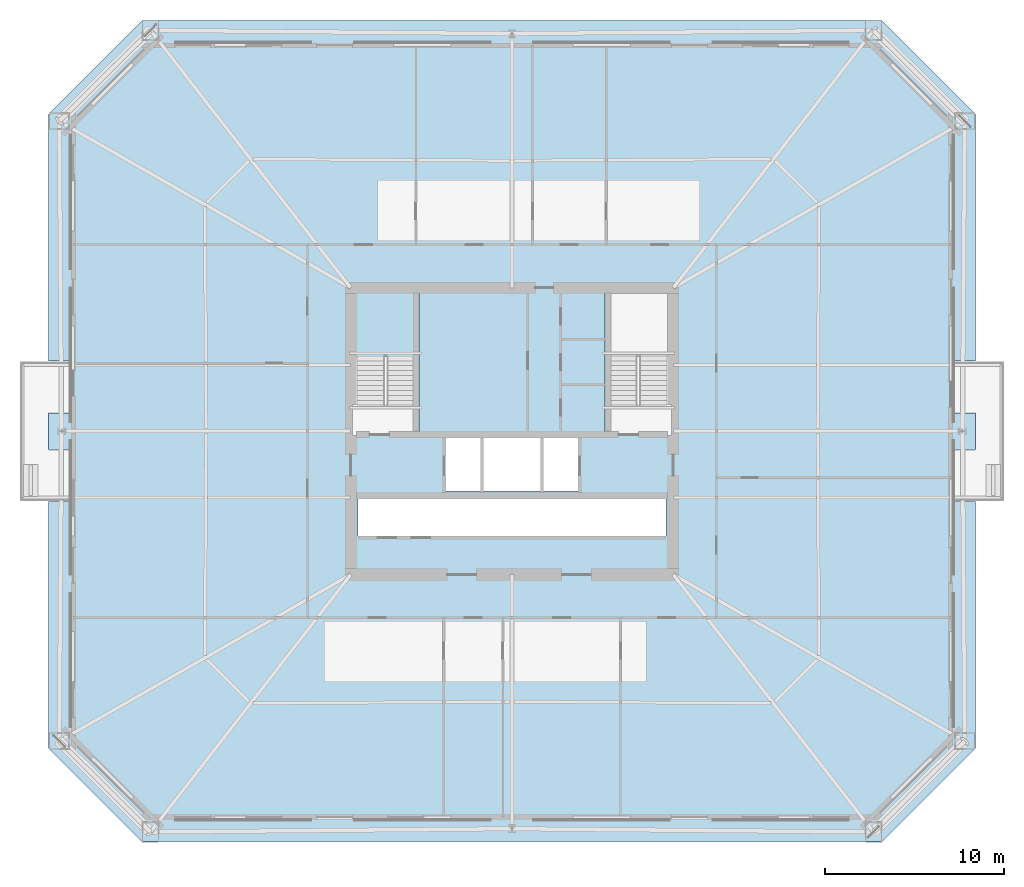
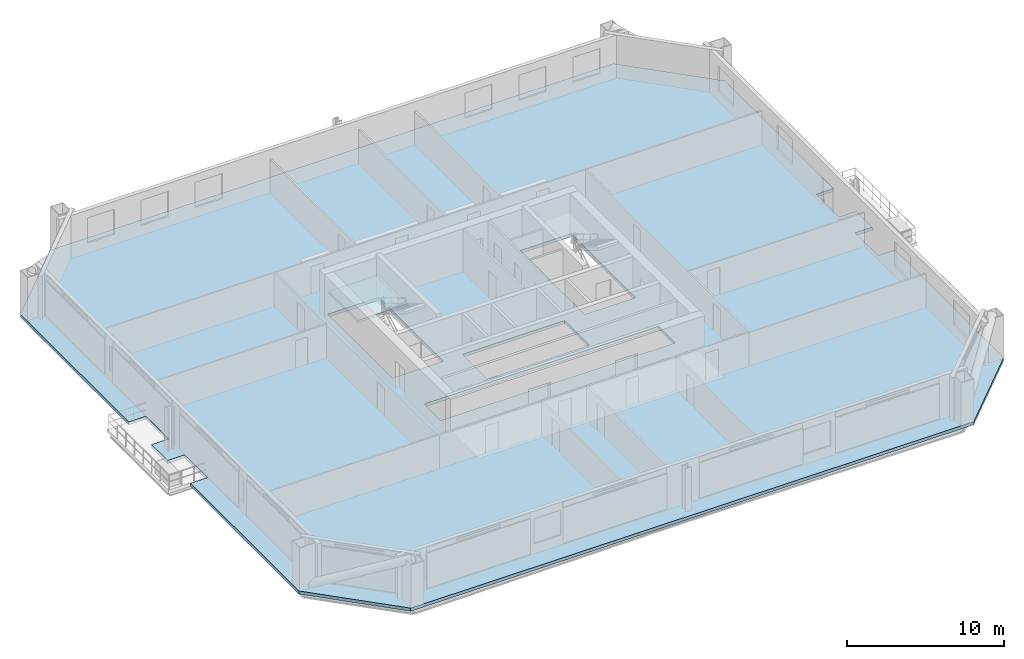
# One storey, part 3 of 11: 2 slabs, 1 element without a shape of its own.
"""IFC4 building model written with IfcOpenShell, lengths in metres."""

from ifc_helpers import new_model, si_unit, direction, frame, origin, place, context, subcontext, project, spatial, polyline, outline, extrude, material, layer, layer_set, type_object, element, aggregate, save


model = new_model("IFC4")

# Units and contexts
model_context = context("Model", 3, precision=1e-05, world=origin(), true_north=direction((0.0, 1.0)))
body_context = subcontext(model_context, "Body", "Model", "MODEL_VIEW")
ifc_project = project(units=[si_unit("LENGTHUNIT", "METRE"), si_unit("AREAUNIT", "SQUARE_METRE"), si_unit("VOLUMEUNIT", "CUBIC_METRE"), si_unit("PLANEANGLEUNIT", "RADIAN"), si_unit("MASSUNIT", "GRAM", prefix="KILO")], contexts=[model_context])

# Site, building, storey
site_placement = place(None, origin())
site = spatial("IfcSite", under=ifc_project, at=site_placement, CompositionType="ELEMENT")
building_placement = place(site_placement, origin())
building = spatial("IfcBuilding", under=site, at=building_placement, Name="Caelvoria Tower", CompositionType="ELEMENT")
storey_placement = place(building_placement, frame((0.0, 0.0, 64.0)))
storey = spatial("IfcBuildingStorey", under=building, at=storey_placement, Name="L16", CompositionType="ELEMENT", Elevation=64.0)

# Stair, slab
ifc_material = material(Name="Concrete C40/50", Category="concrete")
stair_type = type_object("IfcStairType", Name="Core Smokeproof Dogleg Stair Concrete C40/50", PredefinedType="HALF_TURN_STAIR", material=ifc_material)
stair_placement = place(storey_placement, origin())
stair = element("IfcStair", 1, at=stair_placement, inside=storey, type_object=stair_type, Name="ST-01 Smokeproof Exit Stair L16", PredefinedType="HALF_TURN_STAIR")
ifc_layer_1 = layer(ifc_material, 0.199951171875, Name="Concrete C40/50")
ifc_layer_set_1 = layer_set([ifc_layer_1], Name="Stair Half and Floor Landing Slab 200 Concrete C40/50 - Concrete C40/50")
slab_type_1 = type_object("IfcSlabType", Name="Stair Half and Floor Landing Slab 200 Concrete C40/50", PredefinedType="LANDING", material=ifc_layer_set_1)
slab_1_placement = place(storey_placement, frame((0.0, 0.0, 1.60009765625)))
slab_1 = element("IfcSlab", 2, at=slab_1_placement, type_object=slab_type_1, Name="ST-01 landing 2", PredefinedType="LANDING", context=body_context, shape_type="SweptSolid", body=[
    extrude(outline(polyline([(37.10009765625, 36.14990234375), (40.800048828125, 36.14990234375), (40.800048828125, 39.89990234375), (37.10009765625, 39.89990234375), (37.10009765625, 36.14990234375)])), origin(), (0.0, 0.0, 1.0), 0.199951171875),
])
aggregate(stair, [slab_1])

# Slab
ifc_layer_2 = layer(ifc_material, 0.239990234375, Name="Concrete C40/50")
ifc_layer_set_2 = layer_set([ifc_layer_2], Name="Tower Composite Office Slab 240 - Concrete C40/50")
slab_type_2 = type_object("IfcSlabType", Name="Tower Composite Office Slab 240", PredefinedType="FLOOR", material=ifc_layer_set_2)
slab_2_placement = place(storey_placement, frame((0.0, 0.0, -0.239990234375)))
element("IfcSlab", 3, at=slab_2_placement, inside=storey, type_object=slab_type_2, Name="Level L16 Structural Floor Slab", PredefinedType="FLOOR", context=body_context, shape_type="SweptSolid", body=[
    extrude(outline(polyline([(66.64990234375, 54.89990234375), (25.35009765625, 54.89990234375), (20.14990234375, 49.699951171875), (20.14990234375, 35.919921875), (21.409912109375, 35.919921875), (21.409912109375, 33.02001953125), (20.14990234375, 33.02001953125), (20.14990234375, 30.97998046875), (21.409912109375, 30.97998046875), (21.409912109375, 28.080078125), (20.14990234375, 28.080078125), (20.14990234375, 14.300048828125), (25.35009765625, 9.10009765625), (66.64990234375, 9.10009765625), (71.85009765625, 14.300048828125), (71.85009765625, 28.080078125), (70.590087890625, 28.080078125), (70.590087890625, 30.97998046875), (71.85009765625, 30.97998046875), (71.85009765625, 33.02001953125), (70.590087890625, 33.02001953125), (70.590087890625, 35.919921875), (71.85009765625, 35.919921875), (71.85009765625, 49.699951171875), (66.64990234375, 54.89990234375)]), holes=[polyline([(37.080078125, 31.75), (40.820068359375, 31.75), (40.820068359375, 39.919921875), (37.080078125, 39.919921875), (37.080078125, 31.75)]), polyline([(51.179931640625, 31.75), (54.919921875, 31.75), (54.919921875, 39.919921875), (51.179931640625, 39.919921875), (51.179931640625, 31.75)]), polyline([(42.25, 28.64990234375), (49.75, 28.64990234375), (49.75, 31.800048828125), (42.25, 31.800048828125), (42.25, 28.64990234375)]), polyline([(37.39990234375, 26.14990234375), (54.60009765625, 26.14990234375), (54.60009765625, 28.25), (37.39990234375, 28.25), (37.39990234375, 26.14990234375)])]), origin(), (0.0, 0.0, 1.0), 0.239990234375),
])

save(model, "model.ifc")
